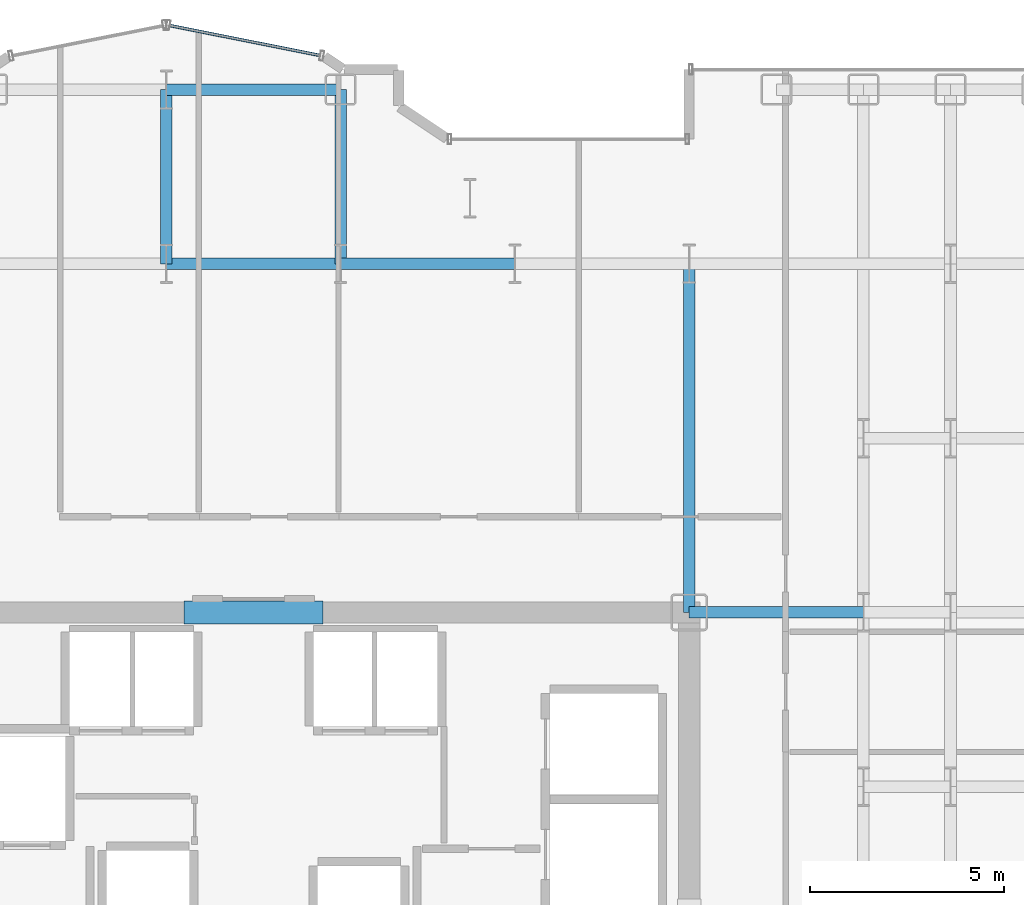
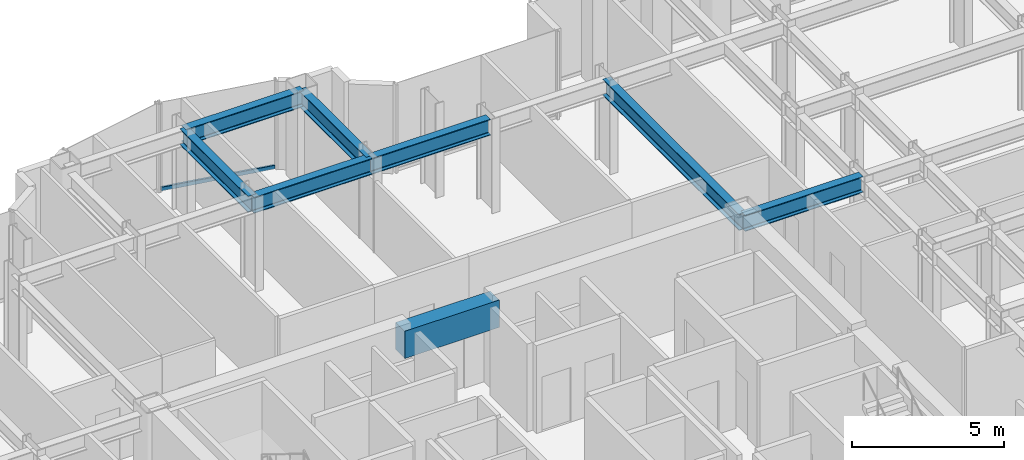
# One storey, part 11 of 26: 8 beams, 1 member, 1 element without a shape of its own.
"""IFC4 building model written with IfcOpenShell, lengths in metres."""

from ifc_helpers import new_model, si_unit, direction, frame, origin, origin_2d, place, context, subcontext, project, spatial, rectangle, hollow_rectangle, i_section, extrude, source, transform, mapped, material, layer, layer_set, material_profile, profile_set, type_object, element, aggregate, save


model = new_model("IFC4")

# Units and contexts
model_context = context("Model", 3, precision=1e-05, world=origin(), true_north=direction((0.0, 1.0)))
body_context = subcontext(model_context, "Body", "Model", "MODEL_VIEW")
ifc_project = project(units=[si_unit("LENGTHUNIT", "METRE"), si_unit("AREAUNIT", "SQUARE_METRE"), si_unit("VOLUMEUNIT", "CUBIC_METRE"), si_unit("PLANEANGLEUNIT", "RADIAN"), si_unit("MASSUNIT", "GRAM", prefix="KILO")], contexts=[model_context])

# Site, building, storey
site_placement = place(None, origin())
site = spatial("IfcSite", under=ifc_project, at=site_placement, CompositionType="ELEMENT")
building_placement = place(site_placement, origin())
building = spatial("IfcBuilding", under=site, at=building_placement, Name="Nefas-Gora Pilgrimage Tower", CompositionType="ELEMENT")
storey_placement = place(building_placement, frame((0.0, 0.0, 132.60009765625)))
storey = spatial("IfcBuildingStorey", under=building, at=storey_placement, Name="L32", CompositionType="ELEMENT", Elevation=132.60009765625)

# Beams
ifc_material_1 = material(Name="Concrete C60/75", Category="concrete")
ifc_material_profile_1 = material_profile(ifc_material_1, rectangle(XDim=0.60009765625, YDim=1.10009765625, at=origin_2d()), Name="RC 600x1100")
ifc_profile_set_1 = profile_set([ifc_material_profile_1], Name="Concrete C60/75")
beam_type_1 = type_object("IfcBeamType", Name="BM-LIN-RC1100", PredefinedType="LINTEL", material=ifc_profile_set_1)
shared_shape_1 = source(origin(), body_context, "Body", "SweptSolid", [
    extrude(rectangle(XDim=0.60009765625, YDim=1.10009765625, at=origin_2d()), origin(), (0.0, 0.0, 1.0), 3.60009765625),
])
beam_1_placement = place(storey_placement, frame((-1.800048828125, 9.0, 3.0), z_axis=(1.0, 0.0, 0.0), x_axis=(0.0, 1.0, 0.0)))
element("IfcBeam", 1, at=beam_1_placement, inside=storey, type_object=beam_type_1, Name="L32 Core Coupling Lintel Beam N", PredefinedType="LINTEL", context=body_context, shape_type="MappedRepresentation", body=[
    mapped(shared_shape_1, transform((0.0, 0.0, 0.0), x_axis=(1.0, 0.0, 0.0), y_axis=(0.0, 1.0, 0.0), z_axis=(0.0, 0.0, 1.0), scale=1.0)),
])
ifc_material_2 = material(Name="Steel S355", Category="steel")
ifc_material_profile_2 = material_profile(ifc_material_2, i_section(OverallWidth=0.300048828125, OverallDepth=0.64990234375, WebThickness=0.01611328125, FlangeThickness=0.031005859375, FilletRadius=0.027099609375, at=origin_2d()), Name="HEB 650")
ifc_profile_set_2 = profile_set([ifc_material_profile_2], Name="Steel S355")
beam_type_2 = type_object("IfcBeamType", Name="BM-GIR-HEB650", PredefinedType="BEAM", material=ifc_profile_set_2)
shared_shape_2 = source(origin(), body_context, "Body", "SweptSolid", [
    extrude(i_section(OverallWidth=0.300048828125, OverallDepth=0.64990234375, WebThickness=0.01611328125, FlangeThickness=0.031005859375, FilletRadius=0.027099609375, at=origin_2d()), origin(), (0.0, 0.0, 1.0), 9.0),
])
beam_2_placement = place(storey_placement, frame((11.25, 9.0, 3.224853515625), z_axis=(0.0, 1.0, 0.0), x_axis=(-1.0, 0.0, 0.0)))
element("IfcBeam", 2, at=beam_2_placement, inside=storey, type_object=beam_type_2, Name="L32 G-03 beam", PredefinedType="BEAM", context=body_context, shape_type="MappedRepresentation", body=[
    mapped(shared_shape_2, transform((0.0, 0.0, 0.0), x_axis=(1.0, 0.0, 0.0), y_axis=(0.0, 1.0, 0.0), z_axis=(0.0, 0.0, 1.0), scale=1.0)),
])
shared_shape_3 = source(origin(), body_context, "Body", "SweptSolid", [
    extrude(i_section(OverallWidth=0.300048828125, OverallDepth=0.64990234375, WebThickness=0.01611328125, FlangeThickness=0.031005859375, FilletRadius=0.027099609375, at=origin_2d()), origin(), (0.0, 0.0, 1.0), 4.5),
])
for number, where, z_axis, x_axis, name in (
    (3, (-2.25, 18.0, 3.224853515625), (0.0, 1.0, 0.0), (-1.0, 0.0, 0.0), "L32 G-03 beam"),
    (4, (-2.25, 18.0, 3.224853515625), (1.0, 0.0, 0.0), (0.0, 1.0, 0.0), "L32 G-03 beam"),
    (5, (-2.25, 22.5, 3.224853515625), (1.0, 0.0, 0.0), (0.0, 1.0, 0.0), "L32 G-03 beam"),
    (6, (2.25, 18.0, 3.224853515625), (0.0, 1.0, 0.0), (-1.0, 0.0, 0.0), "L32 G-03 beam"),
    (7, (2.25, 18.0, 3.224853515625), (1.0, 0.0, 0.0), (0.0, 1.0, 0.0), "L32 G-03 beam"),
    (8, (11.25, 9.0, 3.224853515625), (1.0, 0.0, 0.0), (0.0, 1.0, 0.0), "L32 G-03 beam"),
):
    element("IfcBeam", number, at=place(storey_placement, frame(where, z_axis=z_axis, x_axis=x_axis)), inside=storey, type_object=beam_type_2, Name=name, PredefinedType="BEAM", context=body_context, shape_type="MappedRepresentation", body=[
        mapped(shared_shape_3, transform((0.0, 0.0, 0.0), x_axis=(1.0, 0.0, 0.0), y_axis=(0.0, 1.0, 0.0), z_axis=(0.0, 0.0, 1.0), scale=1.0)),
    ])

# Curtain wall, member
ifc_material_3 = material(Name="Dark ceramic-fritted solar-control aluminium-glass curtain wall", Category="aluminium")
ifc_layer = layer(ifc_material_3, 0.219970703125)
ifc_layer_set = layer_set([ifc_layer], Name="Dark ceramic-fritted solar-control aluminium-glass curtain wall")
curtain_wall_type = type_object("IfcCurtainWallType", Name="CW-SYS-5", PredefinedType="NOTDEFINED", material=ifc_layer_set)
curtain_wall_placement = place(storey_placement, origin())
curtain_wall = element("IfcCurtainWall", 9, at=curtain_wall_placement, inside=storey, type_object=curtain_wall_type, Name="L32 Unitised Curtain Wall CW5", PredefinedType="NOTDEFINED")
ifc_material_4 = material(Name="Anodised architectural aluminium", Category="aluminium")
ifc_material_profile_3 = material_profile(ifc_material_4, hollow_rectangle(XDim=0.080078125, YDim=0.159912109375, WallThickness=0.00439453125, InnerFilletRadius=0.00439453125, OuterFilletRadius=0.009033203125, at=origin_2d()), Name="ALU TRANSOM 80x160")
ifc_profile_set_3 = profile_set([ifc_material_profile_3], Name="Anodised architectural aluminium")
member_type = type_object("IfcMemberType", Name="CWM-TRN-5", PredefinedType="USERDEFINED", material=ifc_profile_set_3)
shared_shape_4 = source(origin(), body_context, "Body", "SweptSolid", [
    extrude(hollow_rectangle(XDim=0.080078125, YDim=0.159912109375, WallThickness=0.00439453125, InnerFilletRadius=0.00439453125, OuterFilletRadius=0.009033203125, at=origin_2d()), origin(), (0.0, 0.0, 1.0), 3.95654296875),
])
member_placement = place(storey_placement, frame((1.718994140625, 23.3828125, 0.0498046875), z_axis=(-0.980781880918, 0.195107411605, 0.0), x_axis=(-0.195107411605, -0.980781880918, 0.0)))
member = element("IfcMember", 10, at=member_placement, type_object=member_type, Name="CW5 Spandrel Transom", ObjectType="TRANSOM", PredefinedType="USERDEFINED", context=body_context, shape_type="MappedRepresentation", body=[
    mapped(shared_shape_4, transform((0.0, 0.0, 0.0), x_axis=(1.0, 0.0, 0.0), y_axis=(0.0, 1.0, 0.0), z_axis=(0.0, 0.0, 1.0), scale=1.0)),
])
aggregate(curtain_wall, [member])

save(model, "model.ifc")
